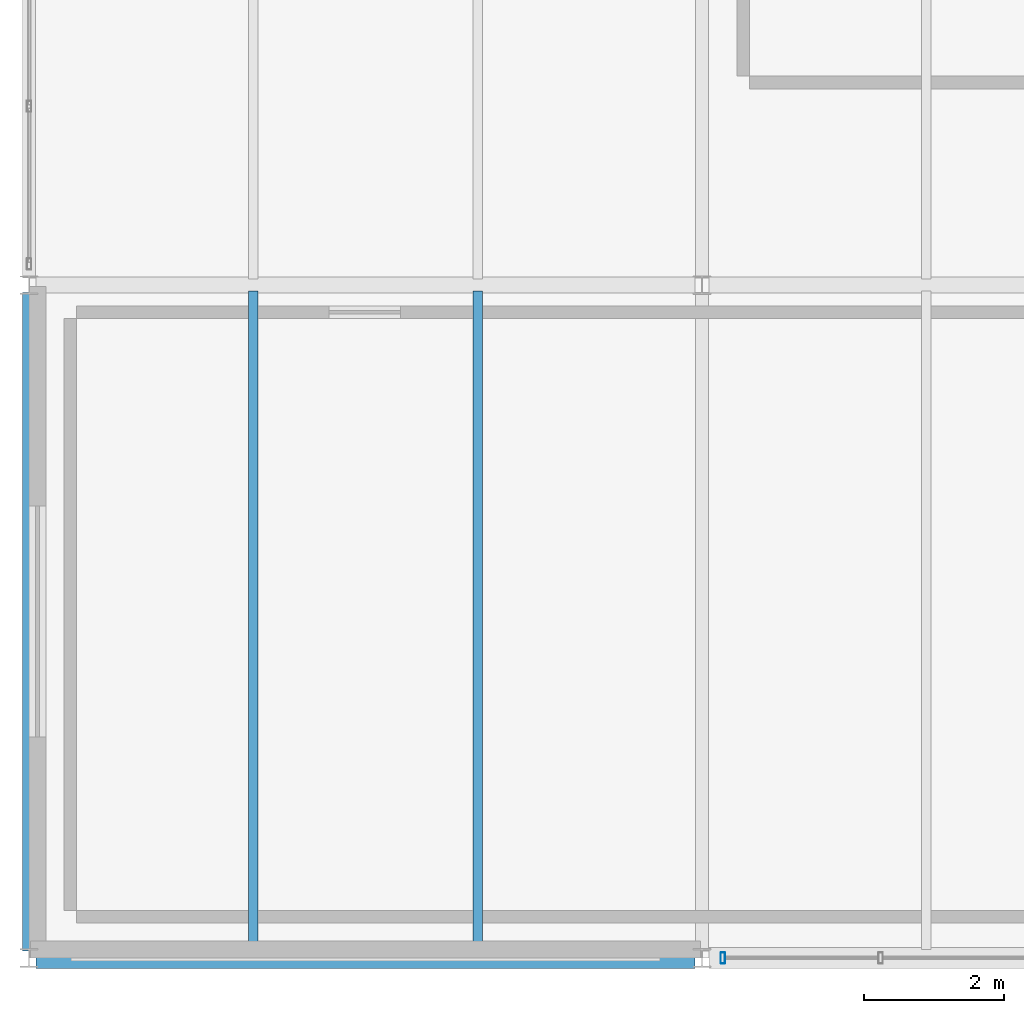
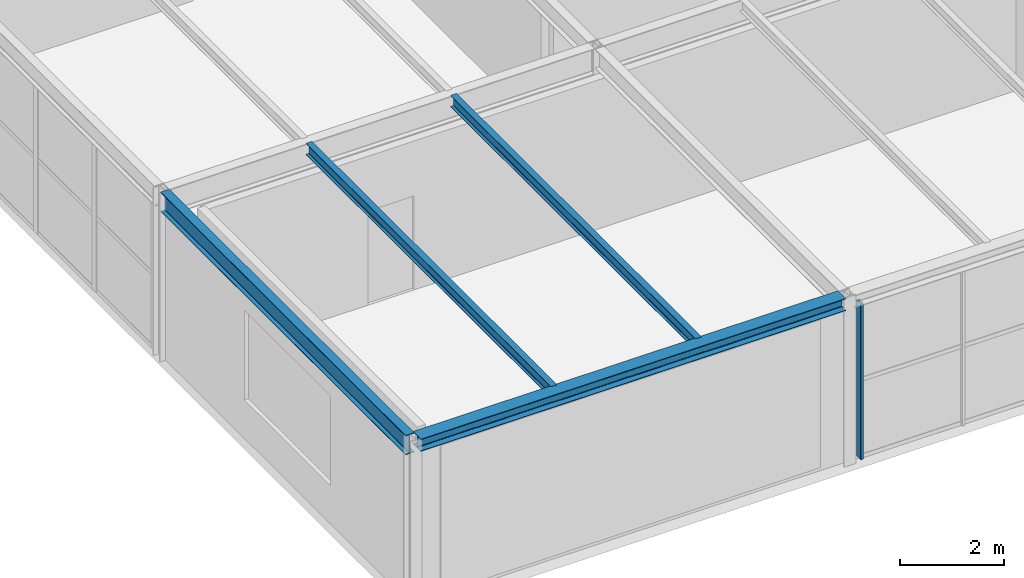
# One storey, part 5 of 39: 4 beams, 1 member, 1 element without a shape of its own.
"""IFC4 building model written with IfcOpenShell, lengths in metres."""

from ifc_helpers import new_model, si_unit, direction, frame, origin, origin_2d, place, context, subcontext, project, spatial, hollow_rectangle, i_section, extrude, material, material_profile, profile_set, type_object, element, aggregate, save


model = new_model("IFC4")

# Units and contexts
model_context = context("Model", 3, precision=1e-05, world=origin(), true_north=direction((0.0, 1.0)))
body_context = subcontext(model_context, "Body", "Model", "MODEL_VIEW")
ifc_project = project(units=[si_unit("LENGTHUNIT", "METRE"), si_unit("AREAUNIT", "SQUARE_METRE"), si_unit("VOLUMEUNIT", "CUBIC_METRE"), si_unit("PLANEANGLEUNIT", "RADIAN"), si_unit("MASSUNIT", "GRAM", prefix="KILO")], contexts=[model_context])

# Site, building, storey
site_placement = place(None, origin())
site = spatial("IfcSite", under=ifc_project, at=site_placement, CompositionType="ELEMENT")
building_placement = place(site_placement, origin())
building = spatial("IfcBuilding", under=site, at=building_placement, Name="Coralgate Yard Interchange", CompositionType="ELEMENT")
storey_placement = place(building_placement, frame((0.0, 0.0, 18.89990234375)))
storey = spatial("IfcBuildingStorey", under=building, at=storey_placement, Name="L04", CompositionType="ELEMENT", Elevation=18.89990234375)

# Beams
ifc_material_1 = material(Name="Structural steel S355J2", Category="steel")
ifc_material_profile_1 = material_profile(ifc_material_1, i_section(OverallWidth=0.1904296875, OverallDepth=0.45703125, WebThickness=0.009033203125, FlangeThickness=0.014404296875, FilletRadius=0.01025390625, at=origin_2d()), Name="UB 457x191x74")
ifc_profile_set_1 = profile_set([ifc_material_profile_1], Name="Structural steel S355J2")
beam_type_1 = type_object("IfcBeamType", Name="BM-SB-2", PredefinedType="BEAM", material=ifc_profile_set_1)
beam_1_placement = place(storey_placement, frame((0.0, 0.103271484375, 3.7216796875), z_axis=(0.0, 1.0, 0.0), x_axis=(-1.0, 0.0, 0.0)))
element("IfcBeam", 1, at=beam_1_placement, inside=storey, type_object=beam_type_1, Name="L04 primary grid girder X0 Y0-1", PredefinedType="BEAM", context=body_context, shape_type="SweptSolid", body=[
    extrude(i_section(OverallWidth=0.1904296875, OverallDepth=0.45703125, WebThickness=0.009033203125, FlangeThickness=0.014404296875, FilletRadius=0.01025390625, at=origin_2d()), origin(), (0.0, 0.0, 1.0), 9.393310546875),
])
ifc_material_profile_2 = material_profile(ifc_material_1, i_section(OverallWidth=0.135009765625, OverallDepth=0.27001953125, WebThickness=0.006591796875, FlangeThickness=0.01025390625, FilletRadius=0.014892578125, at=origin_2d()), Name="IPE 270")
ifc_profile_set_2 = profile_set([ifc_material_profile_2], Name="Structural steel S355J2")
beam_type_2 = type_object("IfcBeamType", Name="BM-SJ-3", PredefinedType="JOIST", material=ifc_profile_set_2)
for number, where, z_axis, x_axis, name in (
    (2, (3.199951171875, 0.1201171875, 3.815185546875), (0.0, 1.0, 0.0), (-1.0, 0.0, 0.0), "L04 composite floor joist 0-0-1"),
    (3, (6.39990234375, 0.1201171875, 3.815185546875), (0.0, 1.0, 0.0), (-1.0, 0.0, 0.0), "L04 composite floor joist 0-0-2"),
):
    element("IfcBeam", number, at=place(storey_placement, frame(where, z_axis=z_axis, x_axis=x_axis)), inside=storey, type_object=beam_type_2, Name=name, PredefinedType="JOIST", context=body_context, shape_type="SweptSolid", body=[
        extrude(i_section(OverallWidth=0.135009765625, OverallDepth=0.27001953125, WebThickness=0.006591796875, FlangeThickness=0.01025390625, FilletRadius=0.014892578125, at=origin_2d()), origin(), (0.0, 0.0, 1.0), 9.395751953125),
    ])
ifc_material_profile_3 = material_profile(ifc_material_1, i_section(OverallWidth=0.300048828125, OverallDepth=0.2900390625, WebThickness=0.008544921875, FlangeThickness=0.013916015625, FilletRadius=0.027099609375, at=origin_2d()), Name="HEA 300")
ifc_profile_set_3 = profile_set([ifc_material_profile_3], Name="Structural steel S355J2")
beam_type_3 = type_object("IfcBeamType", Name="BM-SP-2", PredefinedType="SPANDREL", material=ifc_profile_set_3)
beam_2_placement = place(storey_placement, frame((0.099365234375, 0.0, 3.80517578125), z_axis=(1.0, 0.0, 0.0), x_axis=(0.0, 1.0, 0.0)))
element("IfcBeam", 4, at=beam_2_placement, inside=storey, type_object=beam_type_3, Name="L04 primary grid beam Y0 X0-1", PredefinedType="SPANDREL", context=body_context, shape_type="SweptSolid", body=[
    extrude(i_section(OverallWidth=0.300048828125, OverallDepth=0.2900390625, WebThickness=0.008544921875, FlangeThickness=0.013916015625, FilletRadius=0.027099609375, at=origin_2d()), origin(), (0.0, 0.0, 1.0), 9.401123046875),
])

# Curtain wall, member
ifc_material_2 = material(Name="Anodised coastal aluminium and solar-control low-E glass", Category="aluminium")
curtain_wall_type = type_object("IfcCurtainWallType", Name="CW-CW-L04-A", PredefinedType="NOTDEFINED", material=ifc_material_2)
curtain_wall_placement = place(storey_placement, origin())
curtain_wall = element("IfcCurtainWall", 5, at=curtain_wall_placement, inside=storey, type_object=curtain_wall_type, Name="L04 unitised curtain wall CW-L04-S-01-00", PredefinedType="NOTDEFINED")
ifc_material_3 = material(Name="Anodised coastal aluminium 6063-T6", Category="aluminium")
ifc_material_profile_4 = material_profile(ifc_material_3, hollow_rectangle(XDim=0.06494140625, YDim=0.159912109375, WallThickness=0.00390625, InnerFilletRadius=0.00390625, OuterFilletRadius=0.008056640625, at=origin_2d()), Name="ALU 65x160x4")
ifc_profile_set_4 = profile_set([ifc_material_profile_4], Name="Anodised coastal aluminium 6063-T6")
member_type = type_object("IfcMemberType", Name="MB-MUL-160", PredefinedType="MULLION", material=ifc_profile_set_4)
member_placement = place(storey_placement, frame((9.89990234375, 0.0, 0.0), z_axis=(0.0, 0.0, 1.0), x_axis=(1.0, 0.0, 0.0)))
member = element("IfcMember", 6, at=member_placement, type_object=member_type, Name="CW-L04-S-01-00 vertical mullion 5", PredefinedType="MULLION", context=body_context, shape_type="SweptSolid", body=[
    extrude(hollow_rectangle(XDim=0.06494140625, YDim=0.159912109375, WallThickness=0.00390625, InnerFilletRadius=0.00390625, OuterFilletRadius=0.008056640625, at=origin_2d()), origin(), (0.0, 0.0, 1.0), 3.66015625),
])
aggregate(curtain_wall, [member])

save(model, "model.ifc")
